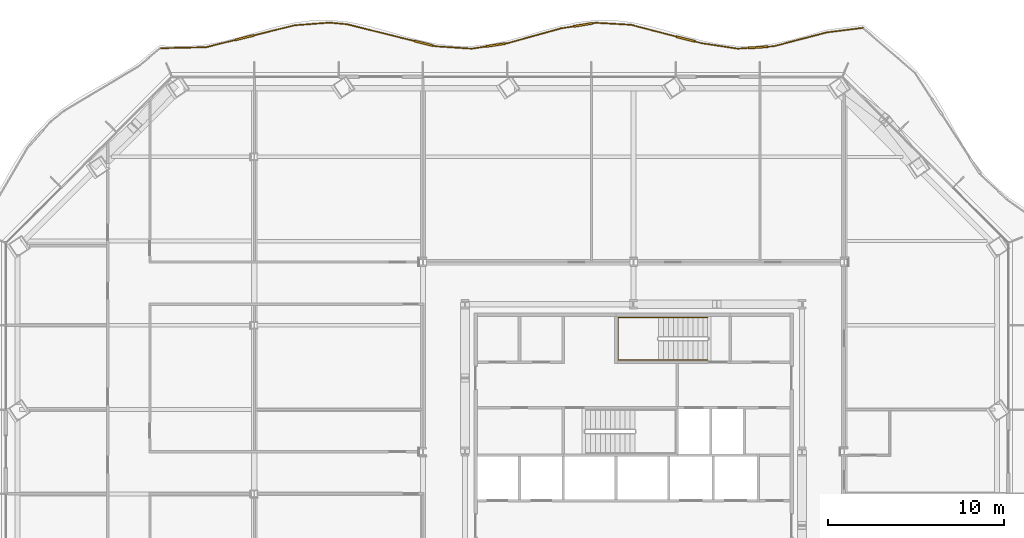
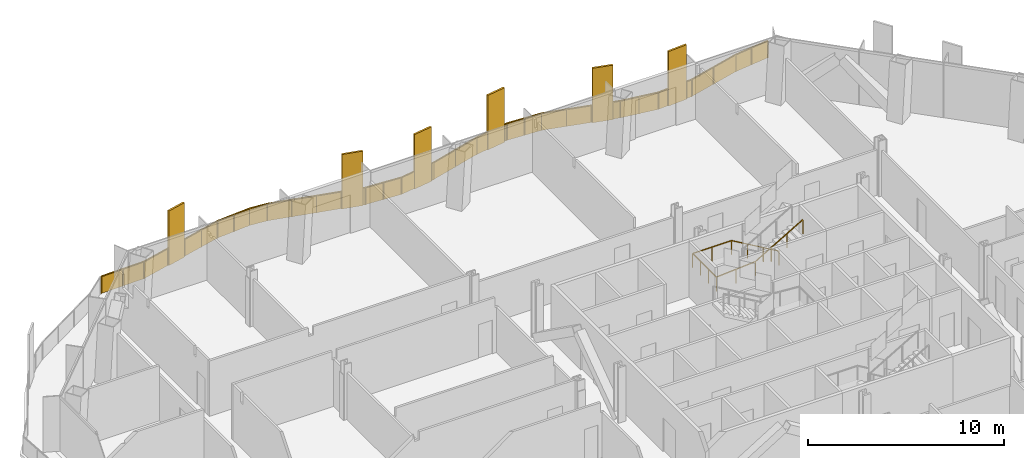
# One storey, part 19 of 20: 2 railings.
"""IFC4 building model written with IfcOpenShell, lengths in metres."""

from ifc_helpers import new_model, si_unit, direction, frame, origin, origin_2d, place, context, subcontext, project, spatial, polyline, rectangle, outline, extrude, material, type_object, element, save


model = new_model("IFC4")

# Units and contexts
model_context = context("Model", 3, precision=1e-05, world=origin(), true_north=direction((0.0, 1.0)))
body_context = subcontext(model_context, "Body", "Model", "MODEL_VIEW")
ifc_project = project(units=[si_unit("LENGTHUNIT", "METRE"), si_unit("AREAUNIT", "SQUARE_METRE"), si_unit("VOLUMEUNIT", "CUBIC_METRE"), si_unit("PLANEANGLEUNIT", "RADIAN"), si_unit("MASSUNIT", "GRAM", prefix="KILO")], contexts=[model_context])

# Site, building, storey
site_placement = place(None, origin())
site = spatial("IfcSite", under=ifc_project, at=site_placement, CompositionType="ELEMENT")
building_placement = place(site_placement, origin())
building = spatial("IfcBuilding", under=site, at=building_placement, Name="Cairn Pilgrim Tower", CompositionType="ELEMENT")
storey_placement = place(building_placement, frame((0.0, 0.0, 87.0)))
storey = spatial("IfcBuildingStorey", under=building, at=storey_placement, Name="L20", CompositionType="ELEMENT", Elevation=87.0)

# Railings
ifc_material_1 = material(Name="Bronze anodised aluminium rail, posts and fin screens with laminated glass infill", Category="aluminium")
railing_type_1 = type_object("IfcRailingType", Name="BALCONY GUARD WITH FIN SCREENS", PredefinedType="GUARDRAIL", material=ifc_material_1)
railing_1_placement = place(storey_placement, frame((20.271240234375, 26.544921875, 0.0)))
element("IfcRailing", 1, at=railing_1_placement, inside=storey, type_object=railing_type_1, Name="Balcony guard BGF-5 with fin screens", PredefinedType="GUARDRAIL", context=body_context, shape_type="SweptSolid", body=[
    extrude(rectangle(XDim=0.050048828125, YDim=0.050048828125, at=origin_2d()), frame((0.0, 0.0, 1.0751953125), z_axis=(-0.992254264557, -0.12422348598, 0.0), x_axis=(0.12422348598, -0.992254264557, 0.0)), (0.0, 0.0, 1.0), 2.069580078125),
    extrude(rectangle(XDim=0.050048828125, YDim=0.050048828125, at=origin_2d()), frame((-2.053466796875, -0.257080078125, 1.0751953125), z_axis=(-0.967572633197, -0.252592952176, 0.0), x_axis=(0.252592952176, -0.967572633197, 0.0)), (0.0, 0.0, 1.0), 3.137451171875),
    extrude(rectangle(XDim=1.10009765625, YDim=0.110107421875, at=origin_2d()), frame((-5.983154296875, -1.10888671875, 0.0), z_axis=(0.0, 0.0, 1.0), x_axis=(-0.997802983849, -0.066251078652, 0.0)), (0.0, 0.0, 1.0), 3.39990234375),
    extrude(rectangle(XDim=0.050048828125, YDim=0.050048828125, at=origin_2d()), frame((-5.089111328125, -1.049560546875, 1.0751953125), z_axis=(-0.997802983849, -0.066251078652, 0.0), x_axis=(0.066251078652, -0.997802983849, 0.0)), (0.0, 0.0, 1.0), 0.345947265625),
    extrude(rectangle(XDim=0.050048828125, YDim=0.050048828125, at=origin_2d()), frame((-6.531982421875, -1.145263671875, 1.0751953125), z_axis=(-0.997802983849, -0.066251078652, 0.0), x_axis=(0.066251078652, -0.997802983849, 0.0)), (0.0, 0.0, 1.0), 0.6103515625),
    extrude(rectangle(XDim=0.050048828125, YDim=0.050048828125, at=origin_2d()), frame((-7.140869140625, -1.185791015625, 1.0751953125), z_axis=(-0.988576822322, 0.150717836928, 0.0), x_axis=(-0.150717836928, -0.988576822322, 0.0)), (0.0, 0.0, 1.0), 2.068603515625),
    extrude(rectangle(XDim=1.10009765625, YDim=0.110107421875, at=origin_2d()), frame((-10.108642578125, -0.6337890625, 0.0), z_axis=(0.0, 0.0, 1.0), x_axis=(-0.967755166448, 0.251892710918, 0.0)), (0.0, 0.0, 1.0), 3.39990234375),
    extrude(rectangle(XDim=0.050048828125, YDim=0.050048828125, at=origin_2d()), frame((-9.185791015625, -0.8740234375, 1.0751953125), z_axis=(-0.967755166448, 0.251892710918, 0.0), x_axis=(-0.251892710918, -0.967755166448, 0.0)), (0.0, 0.0, 1.0), 0.40380859375),
    extrude(rectangle(XDim=0.050048828125, YDim=0.050048828125, at=origin_2d()), frame((-10.64111328125, -0.495361328125, 1.0751953125), z_axis=(-0.967755166448, 0.251892710918, 0.0), x_axis=(-0.251892710918, -0.967755166448, 0.0)), (0.0, 0.0, 1.0), 2.666015625),
    extrude(rectangle(XDim=0.050048828125, YDim=0.050048828125, at=origin_2d()), frame((-13.220947265625, 0.17626953125, 1.0751953125), z_axis=(-0.998369739446, 0.057077695814, 0.0), x_axis=(-0.057077695814, -0.998369739446, 0.0)), (0.0, 0.0, 1.0), 1.9931640625),
    extrude(rectangle(XDim=1.10009765625, YDim=0.110107421875, at=origin_2d()), frame((-15.947021484375, 0.171875, 0.0), z_axis=(0.0, 0.0, 1.0), x_axis=(-0.987374244085, -0.158404867723, 0.0)), (0.0, 0.0, 1.0), 3.39990234375),
    extrude(rectangle(XDim=0.050048828125, YDim=0.050048828125, at=origin_2d()), frame((-15.2109375, 0.2900390625, 1.0751953125), z_axis=(-0.987374244085, -0.158404867723, 0.0), x_axis=(0.158404867723, -0.987374244085, 0.0)), (0.0, 0.0, 1.0), 0.195556640625),
    extrude(rectangle(XDim=0.050048828125, YDim=0.050048828125, at=origin_2d()), frame((-16.490234375, 0.084716796875, 1.0751953125), z_axis=(-0.987374244085, -0.158404867723, 0.0), x_axis=(0.158404867723, -0.987374244085, 0.0)), (0.0, 0.0, 1.0), 0.7265625),
    extrude(rectangle(XDim=0.050048828125, YDim=0.050048828125, at=origin_2d()), frame((-17.20751953125, -0.0302734375, 1.0751953125), z_axis=(-0.963617881554, -0.267283703861, 0.0), x_axis=(0.267283703861, -0.963617881554, 0.0)), (0.0, 0.0, 1.0), 3.146728515625),
    extrude(rectangle(XDim=1.10009765625, YDim=0.110107421875, at=origin_2d()), frame((-20.931640625, -0.9775390625, 0.0), z_axis=(0.0, 0.0, 1.0), x_axis=(-0.988428898524, -0.151684912112, 0.0)), (0.0, 0.0, 1.0), 3.39990234375),
    extrude(rectangle(XDim=0.050048828125, YDim=0.050048828125, at=origin_2d()), frame((-20.23974609375, -0.871337890625, 1.0751953125), z_axis=(-0.988428898524, -0.151684912112, 0.0), x_axis=(0.151684912112, -0.988428898524, 0.0)), (0.0, 0.0, 1.0), 0.150146484375),
    extrude(rectangle(XDim=0.050048828125, YDim=0.050048828125, at=origin_2d()), frame((-21.475341796875, -1.06103515625, 1.0751953125), z_axis=(-0.988428898524, -0.151684912112, 0.0), x_axis=(0.151684912112, -0.988428898524, 0.0)), (0.0, 0.0, 1.0), 0.81982421875),
    extrude(rectangle(XDim=0.050048828125, YDim=0.050048828125, at=origin_2d()), frame((-22.28564453125, -1.185302734375, 1.0751953125), z_axis=(-0.997871039995, 0.065218000114, 0.0), x_axis=(-0.065218000114, -0.997871039995, 0.0)), (0.0, 0.0, 1.0), 2.05517578125),
    extrude(rectangle(XDim=1.10009765625, YDim=0.110107421875, at=origin_2d()), frame((-25.015869140625, -0.882568359375, 0.0), z_axis=(0.0, 0.0, 1.0), x_axis=(-0.970540995734, 0.240936040477, 0.0)), (0.0, 0.0, 1.0), 3.39990234375),
    extrude(rectangle(XDim=0.050048828125, YDim=0.050048828125, at=origin_2d()), frame((-24.33642578125, -1.05126953125, 1.0751953125), z_axis=(-0.970540995734, 0.240936040477, 0.0), x_axis=(-0.240936040477, -0.970540995734, 0.0)), (0.0, 0.0, 1.0), 0.150146484375),
    extrude(rectangle(XDim=0.050048828125, YDim=0.050048828125, at=origin_2d()), frame((-25.5498046875, -0.75, 1.0751953125), z_axis=(-0.970540995734, 0.240936040477, 0.0), x_axis=(-0.240936040477, -0.970540995734, 0.0)), (0.0, 0.0, 1.0), 3.958251953125),
    extrude(rectangle(XDim=0.050048828125, YDim=0.050048828125, at=origin_2d()), frame((-29.391357421875, 0.20361328125, 1.0751953125), z_axis=(-0.995471088297, 0.095064779832, 0.0), x_axis=(-0.095064779832, -0.995471088297, 0.0)), (0.0, 0.0, 1.0), 0.9912109375),
    extrude(rectangle(XDim=0.050048828125, YDim=0.050048828125, at=origin_2d()), frame((-30.378173828125, 0.2978515625, 1.0751953125), z_axis=(-0.997236039356, -0.074298598968, 0.0), x_axis=(0.074298598968, -0.997236039356, 0.0)), (0.0, 0.0, 1.0), 2.001220703125),
    extrude(rectangle(XDim=1.10009765625, YDim=0.110107421875, at=origin_2d()), frame((-35.2255859375, -0.557373046875, 0.0), z_axis=(0.0, 0.0, 1.0), x_axis=(-0.970655842005, -0.240472943138, 0.0)), (0.0, 0.0, 1.0), 3.39990234375),
    extrude(rectangle(XDim=0.050048828125, YDim=0.050048828125, at=origin_2d()), frame((-32.373779296875, 0.149169921875, 1.0751953125), z_axis=(-0.970655842005, -0.240472943138, 0.0), x_axis=(0.240472943138, -0.970655842005, 0.0)), (0.0, 0.0, 1.0), 2.387939453125),
    extrude(rectangle(XDim=0.050048828125, YDim=0.050048828125, at=origin_2d()), frame((-35.759521484375, -0.689697265625, 1.0751953125), z_axis=(-0.970655842005, -0.240472943138, 0.0), x_axis=(0.240472943138, -0.970655842005, 0.0)), (0.0, 0.0, 1.0), 1.72119140625),
    extrude(rectangle(XDim=0.050048828125, YDim=0.050048828125, at=origin_2d()), frame((-37.43017578125, -1.103515625, 1.0751953125), z_axis=(-0.999757349135, -0.022028228505, 0.0), x_axis=(0.022028228505, -0.999757349135, 0.0)), (0.0, 0.0, 1.0), 2.560302734375),
    extrude(rectangle(XDim=0.050048828125, YDim=0.050048828125, at=origin_2d()), origin(), (0.0, 0.0, 1.0), 1.050048828125),
    extrude(rectangle(XDim=0.050048828125, YDim=0.050048828125, at=origin_2d()), frame((-1.02685546875, -0.12841796875, 0.0)), (0.0, 0.0, 1.0), 1.050048828125),
    extrude(rectangle(XDim=0.050048828125, YDim=0.050048828125, at=origin_2d()), frame((-2.053466796875, -0.257080078125, 0.0)), (0.0, 0.0, 1.0), 1.050048828125),
    extrude(rectangle(XDim=0.050048828125, YDim=0.050048828125, at=origin_2d()), frame((-3.5712890625, -0.6533203125, 0.0)), (0.0, 0.0, 1.0), 1.050048828125),
    extrude(rectangle(XDim=0.050048828125, YDim=0.050048828125, at=origin_2d()), frame((-5.089111328125, -1.049560546875, 0.0)), (0.0, 0.0, 1.0), 1.050048828125),
    extrude(rectangle(XDim=0.050048828125, YDim=0.050048828125, at=origin_2d()), frame((-5.409423828125, -1.07080078125, 0.0)), (0.0, 0.0, 1.0), 1.050048828125),
    extrude(rectangle(XDim=0.050048828125, YDim=0.050048828125, at=origin_2d()), frame((-6.556884765625, -1.14697265625, 0.0)), (0.0, 0.0, 1.0), 1.050048828125),
    extrude(rectangle(XDim=0.050048828125, YDim=0.050048828125, at=origin_2d()), frame((-7.140869140625, -1.185791015625, 0.0)), (0.0, 0.0, 1.0), 1.050048828125),
    extrude(rectangle(XDim=0.050048828125, YDim=0.050048828125, at=origin_2d()), frame((-8.163330078125, -1.02978515625, 0.0)), (0.0, 0.0, 1.0), 1.050048828125),
    extrude(rectangle(XDim=0.050048828125, YDim=0.050048828125, at=origin_2d()), frame((-9.185791015625, -0.8740234375, 0.0)), (0.0, 0.0, 1.0), 1.050048828125),
    extrude(rectangle(XDim=0.050048828125, YDim=0.050048828125, at=origin_2d()), frame((-9.55224609375, -0.778564453125, 0.0)), (0.0, 0.0, 1.0), 1.050048828125),
    extrude(rectangle(XDim=0.050048828125, YDim=0.050048828125, at=origin_2d()), frame((-10.665283203125, -0.489013671875, 0.0)), (0.0, 0.0, 1.0), 1.050048828125),
    extrude(rectangle(XDim=0.050048828125, YDim=0.050048828125, at=origin_2d()), frame((-11.943115234375, -0.15625, 0.0)), (0.0, 0.0, 1.0), 1.050048828125),
    extrude(rectangle(XDim=0.050048828125, YDim=0.050048828125, at=origin_2d()), frame((-13.220947265625, 0.17626953125, 0.0)), (0.0, 0.0, 1.0), 1.050048828125),
    extrude(rectangle(XDim=0.050048828125, YDim=0.050048828125, at=origin_2d()), frame((-14.2158203125, 0.233154296875, 0.0)), (0.0, 0.0, 1.0), 1.050048828125),
    extrude(rectangle(XDim=0.050048828125, YDim=0.050048828125, at=origin_2d()), frame((-15.2109375, 0.2900390625, 0.0)), (0.0, 0.0, 1.0), 1.050048828125),
    extrude(rectangle(XDim=0.050048828125, YDim=0.050048828125, at=origin_2d()), frame((-15.37939453125, 0.262939453125, 0.0)), (0.0, 0.0, 1.0), 1.050048828125),
    extrude(rectangle(XDim=0.050048828125, YDim=0.050048828125, at=origin_2d()), frame((-16.514892578125, 0.080810546875, 0.0)), (0.0, 0.0, 1.0), 1.050048828125),
    extrude(rectangle(XDim=0.050048828125, YDim=0.050048828125, at=origin_2d()), frame((-17.20751953125, -0.0302734375, 0.0)), (0.0, 0.0, 1.0), 1.050048828125),
    extrude(rectangle(XDim=0.050048828125, YDim=0.050048828125, at=origin_2d()), frame((-18.7236328125, -0.45068359375, 0.0)), (0.0, 0.0, 1.0), 1.050048828125),
    extrude(rectangle(XDim=0.050048828125, YDim=0.050048828125, at=origin_2d()), frame((-20.23974609375, -0.871337890625, 0.0)), (0.0, 0.0, 1.0), 1.050048828125),
    extrude(rectangle(XDim=0.050048828125, YDim=0.050048828125, at=origin_2d()), frame((-20.36328125, -0.890380859375, 0.0)), (0.0, 0.0, 1.0), 1.050048828125),
    extrude(rectangle(XDim=0.050048828125, YDim=0.050048828125, at=origin_2d()), frame((-21.5, -1.064697265625, 0.0)), (0.0, 0.0, 1.0), 1.050048828125),
    extrude(rectangle(XDim=0.050048828125, YDim=0.050048828125, at=origin_2d()), frame((-22.28564453125, -1.185302734375, 0.0)), (0.0, 0.0, 1.0), 1.050048828125),
    extrude(rectangle(XDim=0.050048828125, YDim=0.050048828125, at=origin_2d()), frame((-23.31103515625, -1.1181640625, 0.0)), (0.0, 0.0, 1.0), 1.050048828125),
    extrude(rectangle(XDim=0.050048828125, YDim=0.050048828125, at=origin_2d()), frame((-24.33642578125, -1.05126953125, 0.0)), (0.0, 0.0, 1.0), 1.050048828125),
    extrude(rectangle(XDim=0.050048828125, YDim=0.050048828125, at=origin_2d()), frame((-24.457763671875, -1.021240234375, 0.0)), (0.0, 0.0, 1.0), 1.050048828125),
    extrude(rectangle(XDim=0.050048828125, YDim=0.050048828125, at=origin_2d()), frame((-25.573974609375, -0.744140625, 0.0)), (0.0, 0.0, 1.0), 1.050048828125),
    extrude(rectangle(XDim=0.050048828125, YDim=0.050048828125, at=origin_2d()), frame((-26.846435546875, -0.42822265625, 0.0)), (0.0, 0.0, 1.0), 1.050048828125),
    extrude(rectangle(XDim=0.050048828125, YDim=0.050048828125, at=origin_2d()), frame((-28.118896484375, -0.1123046875, 0.0)), (0.0, 0.0, 1.0), 1.050048828125),
    extrude(rectangle(XDim=0.050048828125, YDim=0.050048828125, at=origin_2d()), frame((-29.391357421875, 0.20361328125, 0.0)), (0.0, 0.0, 1.0), 1.050048828125),
    extrude(rectangle(XDim=0.050048828125, YDim=0.050048828125, at=origin_2d()), frame((-30.378173828125, 0.2978515625, 0.0)), (0.0, 0.0, 1.0), 1.050048828125),
    extrude(rectangle(XDim=0.050048828125, YDim=0.050048828125, at=origin_2d()), frame((-31.3759765625, 0.2236328125, 0.0)), (0.0, 0.0, 1.0), 1.050048828125),
    extrude(rectangle(XDim=0.050048828125, YDim=0.050048828125, at=origin_2d()), frame((-32.373779296875, 0.149169921875, 0.0)), (0.0, 0.0, 1.0), 1.050048828125),
    extrude(rectangle(XDim=0.050048828125, YDim=0.050048828125, at=origin_2d()), frame((-33.5205078125, -0.135009765625, 0.0)), (0.0, 0.0, 1.0), 1.050048828125),
    extrude(rectangle(XDim=0.050048828125, YDim=0.050048828125, at=origin_2d()), frame((-34.66748046875, -0.4189453125, 0.0)), (0.0, 0.0, 1.0), 1.050048828125),
    extrude(rectangle(XDim=0.050048828125, YDim=0.050048828125, at=origin_2d()), frame((-35.78369140625, -0.695556640625, 0.0)), (0.0, 0.0, 1.0), 1.050048828125),
    extrude(rectangle(XDim=0.050048828125, YDim=0.050048828125, at=origin_2d()), frame((-37.43017578125, -1.103515625, 0.0)), (0.0, 0.0, 1.0), 1.050048828125),
    extrude(rectangle(XDim=0.050048828125, YDim=0.050048828125, at=origin_2d()), frame((-38.7099609375, -1.1318359375, 0.0)), (0.0, 0.0, 1.0), 1.050048828125),
    extrude(rectangle(XDim=0.050048828125, YDim=0.050048828125, at=origin_2d()), frame((-39.98974609375, -1.159912109375, 0.0)), (0.0, 0.0, 1.0), 1.050048828125),
    extrude(outline(polyline([(0.02490234375, 0.0), (1.009765625, 0.0), (1.009765625, 1.050048828125), (0.02490234375, 1.050048828125), (0.02490234375, 0.0)])), frame((0.000732421875, -0.005859375, 0.0), z_axis=(-0.12422348598, 0.992254264557, 0.0), x_axis=(-0.992254264557, -0.12422348598, 0.0)), (0.0, 0.0, 1.0), 0.011962890625),
    extrude(outline(polyline([(0.02490234375, 0.0), (1.009765625, 0.0), (1.009765625, 1.050048828125), (0.02490234375, 1.050048828125), (0.02490234375, 0.0)])), frame((-1.02587890625, -0.134521484375, 0.0), z_axis=(-0.12422348598, 0.992254264557, 0.0), x_axis=(-0.992254264557, -0.12422348598, 0.0)), (0.0, 0.0, 1.0), 0.011962890625),
    extrude(outline(polyline([(0.02490234375, 0.0), (1.543701171875, 0.0), (1.543701171875, 1.050048828125), (0.02490234375, 1.050048828125), (0.02490234375, 0.0)])), frame((-2.052001953125, -0.262939453125, 0.0), z_axis=(-0.252592952176, 0.967572633197, 0.0), x_axis=(-0.967572633197, -0.252592952176, 0.0)), (0.0, 0.0, 1.0), 0.011962890625),
    extrude(outline(polyline([(0.02490234375, 0.0), (1.543701171875, 0.0), (1.543701171875, 1.050048828125), (0.02490234375, 1.050048828125), (0.02490234375, 0.0)])), frame((-3.56982421875, -0.6591796875, 0.0), z_axis=(-0.252592952176, 0.967572633197, 0.0), x_axis=(-0.967572633197, -0.252592952176, 0.0)), (0.0, 0.0, 1.0), 0.011962890625),
    extrude(outline(polyline([(0.02490234375, 0.0), (0.2958984375, 0.0), (0.2958984375, 1.050048828125), (0.02490234375, 1.050048828125), (0.02490234375, 0.0)])), frame((-5.088623046875, -1.055419921875, 0.0), z_axis=(-0.066251078652, 0.997802983849, 0.0), x_axis=(-0.997802983849, -0.066251078652, 0.0)), (0.0, 0.0, 1.0), 0.011962890625),
    extrude(outline(polyline([(0.02490234375, 0.0), (0.560302734375, 0.0), (0.560302734375, 1.050048828125), (0.02490234375, 1.050048828125), (0.02490234375, 0.0)])), frame((-6.556640625, -1.153076171875, 0.0), z_axis=(-0.066251078652, 0.997802983849, 0.0), x_axis=(-0.997802983849, -0.066251078652, 0.0)), (0.0, 0.0, 1.0), 0.011962890625),
    extrude(outline(polyline([(0.02490234375, 0.0), (1.00927734375, 0.0), (1.00927734375, 1.050048828125), (0.02490234375, 1.050048828125), (0.02490234375, 0.0)])), frame((-7.141845703125, -1.191650390625, 0.0), z_axis=(0.150717836928, 0.988576822322, 0.0), x_axis=(-0.988576822322, 0.150717836928, 0.0)), (0.0, 0.0, 1.0), 0.011962890625),
    extrude(outline(polyline([(0.02490234375, 0.0), (1.00927734375, 0.0), (1.00927734375, 1.050048828125), (0.02490234375, 1.050048828125), (0.02490234375, 0.0)])), frame((-8.164306640625, -1.035888671875, 0.0), z_axis=(0.150717836928, 0.988576822322, 0.0), x_axis=(-0.988576822322, 0.150717836928, 0.0)), (0.0, 0.0, 1.0), 0.011962890625),
    extrude(outline(polyline([(0.02490234375, 0.0), (0.353759765625, 0.0), (0.353759765625, 1.050048828125), (0.02490234375, 1.050048828125), (0.02490234375, 0.0)])), frame((-9.187255859375, -0.8798828125, 0.0), z_axis=(0.251892710918, 0.967755166448, 0.0), x_axis=(-0.967755166448, 0.251892710918, 0.0)), (0.0, 0.0, 1.0), 0.011962890625),
    extrude(outline(polyline([(0.02490234375, 0.0), (1.29541015625, 0.0), (1.29541015625, 1.050048828125), (0.02490234375, 1.050048828125), (0.02490234375, 0.0)])), frame((-10.666748046875, -0.49462890625, 0.0), z_axis=(0.251892710918, 0.967755166448, 0.0), x_axis=(-0.967755166448, 0.251892710918, 0.0)), (0.0, 0.0, 1.0), 0.011962890625),
    extrude(outline(polyline([(0.02490234375, 0.0), (1.29541015625, 0.0), (1.29541015625, 1.050048828125), (0.02490234375, 1.050048828125), (0.02490234375, 0.0)])), frame((-11.944580078125, -0.162109375, 0.0), z_axis=(0.251892710918, 0.967755166448, 0.0), x_axis=(-0.967755166448, 0.251892710918, 0.0)), (0.0, 0.0, 1.0), 0.011962890625),
    extrude(outline(polyline([(0.02490234375, 0.0), (0.9716796875, 0.0), (0.9716796875, 1.050048828125), (0.02490234375, 1.050048828125), (0.02490234375, 0.0)])), frame((-13.22119140625, 0.17041015625, 0.0), z_axis=(0.057077695814, 0.998369739446, 0.0), x_axis=(-0.998369739446, 0.057077695814, 0.0)), (0.0, 0.0, 1.0), 0.011962890625),
    extrude(outline(polyline([(0.02490234375, 0.0), (0.9716796875, 0.0), (0.9716796875, 1.050048828125), (0.02490234375, 1.050048828125), (0.02490234375, 0.0)])), frame((-14.21630859375, 0.227294921875, 0.0), z_axis=(0.057077695814, 0.998369739446, 0.0), x_axis=(-0.998369739446, 0.057077695814, 0.0)), (0.0, 0.0, 1.0), 0.011962890625),
    extrude(outline(polyline([(0.02490234375, 0.0), (0.1455078125, 0.0), (0.1455078125, 1.050048828125), (0.02490234375, 1.050048828125), (0.02490234375, 0.0)])), frame((-15.2099609375, 0.2841796875, 0.0), z_axis=(-0.158404867723, 0.987374244085, 0.0), x_axis=(-0.987374244085, -0.158404867723, 0.0)), (0.0, 0.0, 1.0), 0.011962890625),
    extrude(outline(polyline([(0.02490234375, 0.0), (0.676513671875, 0.0), (0.676513671875, 1.050048828125), (0.02490234375, 1.050048828125), (0.02490234375, 0.0)])), frame((-16.513916015625, 0.074951171875, 0.0), z_axis=(-0.158404867723, 0.987374244085, 0.0), x_axis=(-0.987374244085, -0.158404867723, 0.0)), (0.0, 0.0, 1.0), 0.011962890625),
    extrude(outline(polyline([(0.02490234375, 0.0), (1.54833984375, 0.0), (1.54833984375, 1.050048828125), (0.02490234375, 1.050048828125), (0.02490234375, 0.0)])), frame((-17.205810546875, -0.0361328125, 0.0), z_axis=(-0.267283703861, 0.963617881554, 0.0), x_axis=(-0.963617881554, -0.267283703861, 0.0)), (0.0, 0.0, 1.0), 0.011962890625),
    extrude(outline(polyline([(0.02490234375, 0.0), (1.54833984375, 0.0), (1.54833984375, 1.050048828125), (0.02490234375, 1.050048828125), (0.02490234375, 0.0)])), frame((-18.721923828125, -0.45654296875, 0.0), z_axis=(-0.267283703861, 0.963617881554, 0.0), x_axis=(-0.963617881554, -0.267283703861, 0.0)), (0.0, 0.0, 1.0), 0.011962890625),
    extrude(outline(polyline([(0.02490234375, 0.0), (0.10009765625, 0.0), (0.10009765625, 1.050048828125), (0.02490234375, 1.050048828125), (0.02490234375, 0.0)])), frame((-20.23876953125, -0.877197265625, 0.0), z_axis=(-0.151684912112, 0.988428898524, 0.0), x_axis=(-0.988428898524, -0.151684912112, 0.0)), (0.0, 0.0, 1.0), 0.011962890625),
    extrude(outline(polyline([(0.02490234375, 0.0), (0.769775390625, 0.0), (0.769775390625, 1.050048828125), (0.02490234375, 1.050048828125), (0.02490234375, 0.0)])), frame((-21.4990234375, -1.070556640625, 0.0), z_axis=(-0.151684912112, 0.988428898524, 0.0), x_axis=(-0.988428898524, -0.151684912112, 0.0)), (0.0, 0.0, 1.0), 0.011962890625),
    extrude(outline(polyline([(0.02490234375, 0.0), (1.00244140625, 0.0), (1.00244140625, 1.050048828125), (0.02490234375, 1.050048828125), (0.02490234375, 0.0)])), frame((-22.2861328125, -1.191162109375, 0.0), z_axis=(0.065218000114, 0.997871039995, 0.0), x_axis=(-0.997871039995, 0.065218000114, 0.0)), (0.0, 0.0, 1.0), 0.011962890625),
    extrude(outline(polyline([(0.02490234375, 0.0), (1.00244140625, 0.0), (1.00244140625, 1.050048828125), (0.02490234375, 1.050048828125), (0.02490234375, 0.0)])), frame((-23.3115234375, -1.124267578125, 0.0), z_axis=(0.065218000114, 0.997871039995, 0.0), x_axis=(-0.997871039995, 0.065218000114, 0.0)), (0.0, 0.0, 1.0), 0.011962890625),
    extrude(outline(polyline([(0.02490234375, 0.0), (0.10009765625, 0.0), (0.10009765625, 1.050048828125), (0.02490234375, 1.050048828125), (0.02490234375, 0.0)])), frame((-24.337890625, -1.05712890625, 0.0), z_axis=(0.240936040477, 0.970540995734, 0.0), x_axis=(-0.970540995734, 0.240936040477, 0.0)), (0.0, 0.0, 1.0), 0.011962890625),
    extrude(outline(polyline([(0.02490234375, 0.0), (1.2861328125, 0.0), (1.2861328125, 1.050048828125), (0.02490234375, 1.050048828125), (0.02490234375, 0.0)])), frame((-25.575439453125, -0.749755859375, 0.0), z_axis=(0.240936040477, 0.970540995734, 0.0), x_axis=(-0.970540995734, 0.240936040477, 0.0)), (0.0, 0.0, 1.0), 0.011962890625),
    extrude(outline(polyline([(0.02490234375, 0.0), (1.2861328125, 0.0), (1.2861328125, 1.050048828125), (0.02490234375, 1.050048828125), (0.02490234375, 0.0)])), frame((-26.847900390625, -0.43408203125, 0.0), z_axis=(0.240936040477, 0.970540995734, 0.0), x_axis=(-0.970540995734, 0.240936040477, 0.0)), (0.0, 0.0, 1.0), 0.011962890625),
    extrude(outline(polyline([(0.02490234375, 0.0), (1.2861328125, 0.0), (1.2861328125, 1.050048828125), (0.02490234375, 1.050048828125), (0.02490234375, 0.0)])), frame((-28.120361328125, -0.1181640625, 0.0), z_axis=(0.240936040477, 0.970540995734, 0.0), x_axis=(-0.970540995734, 0.240936040477, 0.0)), (0.0, 0.0, 1.0), 0.011962890625),
    extrude(outline(polyline([(0.02490234375, 0.0), (0.96630859375, 0.0), (0.96630859375, 1.050048828125), (0.02490234375, 1.050048828125), (0.02490234375, 0.0)])), frame((-29.391845703125, 0.19775390625, 0.0), z_axis=(0.095064779832, 0.995471088297, 0.0), x_axis=(-0.995471088297, 0.095064779832, 0.0)), (0.0, 0.0, 1.0), 0.011962890625),
    extrude(outline(polyline([(0.02490234375, 0.0), (0.9755859375, 0.0), (0.9755859375, 1.050048828125), (0.02490234375, 1.050048828125), (0.02490234375, 0.0)])), frame((-30.377685546875, 0.2919921875, 0.0), z_axis=(-0.074298598968, 0.997236039356, 0.0), x_axis=(-0.997236039356, -0.074298598968, 0.0)), (0.0, 0.0, 1.0), 0.011962890625),
    extrude(outline(polyline([(0.02490234375, 0.0), (0.9755859375, 0.0), (0.9755859375, 1.050048828125), (0.02490234375, 1.050048828125), (0.02490234375, 0.0)])), frame((-31.37548828125, 0.217529296875, 0.0), z_axis=(-0.074298598968, 0.997236039356, 0.0), x_axis=(-0.997236039356, -0.074298598968, 0.0)), (0.0, 0.0, 1.0), 0.011962890625),
    extrude(outline(polyline([(0.02490234375, 0.0), (1.156494140625, 0.0), (1.156494140625, 1.050048828125), (0.02490234375, 1.050048828125), (0.02490234375, 0.0)])), frame((-32.372314453125, 0.143310546875, 0.0), z_axis=(-0.240472943138, 0.970655842005, 0.0), x_axis=(-0.970655842005, -0.240472943138, 0.0)), (0.0, 0.0, 1.0), 0.011962890625),
    extrude(outline(polyline([(0.02490234375, 0.0), (1.156494140625, 0.0), (1.156494140625, 1.050048828125), (0.02490234375, 1.050048828125), (0.02490234375, 0.0)])), frame((-33.519287109375, -0.140869140625, 0.0), z_axis=(-0.240472943138, 0.970655842005, 0.0), x_axis=(-0.970655842005, -0.240472943138, 0.0)), (0.0, 0.0, 1.0), 0.011962890625),
    extrude(outline(polyline([(0.02490234375, 0.0), (1.671142578125, 0.0), (1.671142578125, 1.050048828125), (0.02490234375, 1.050048828125), (0.02490234375, 0.0)])), frame((-35.7822265625, -0.701416015625, 0.0), z_axis=(-0.240472943138, 0.970655842005, 0.0), x_axis=(-0.970655842005, -0.240472943138, 0.0)), (0.0, 0.0, 1.0), 0.011962890625),
    extrude(outline(polyline([(0.02490234375, 0.0), (1.255126953125, 0.0), (1.255126953125, 1.050048828125), (0.02490234375, 1.050048828125), (0.02490234375, 0.0)])), frame((-37.429931640625, -1.109375, 0.0), z_axis=(-0.022028228505, 0.999757349135, 0.0), x_axis=(-0.999757349135, -0.022028228505, 0.0)), (0.0, 0.0, 1.0), 0.011962890625),
    extrude(outline(polyline([(0.02490234375, 0.0), (1.255126953125, 0.0), (1.255126953125, 1.050048828125), (0.02490234375, 1.050048828125), (0.02490234375, 0.0)])), frame((-38.709716796875, -1.1376953125, 0.0), z_axis=(-0.022028228505, 0.999757349135, 0.0), x_axis=(-0.999757349135, -0.022028228505, 0.0)), (0.0, 0.0, 1.0), 0.011962890625),
])
ifc_material_2 = material(Name="Painted steel", Category="steel")
railing_type_2 = type_object("IfcRailingType", Name="STAIR HANDRAIL 900", PredefinedType="HANDRAIL", material=ifc_material_2)
railing_2_placement = place(storey_placement, frame((11.425048828125, 10.050048828125, 0.16357421875)))
element("IfcRailing", 2, at=railing_2_placement, inside=storey, type_object=railing_type_2, Name="L20 ST-C stair handrail 1", PredefinedType="HANDRAIL", context=body_context, shape_type="SweptSolid", body=[
    extrude(rectangle(XDim=0.048095703125, YDim=0.048095703125, at=origin_2d()), frame((0.0, 0.0, 0.8759765625), z_axis=(-0.863360870873, 0.0, 0.504586966384), x_axis=(0.0, -1.0, 0.0)), (0.0, 0.0, 1.0), 3.2431640625),
    extrude(rectangle(XDim=0.048095703125, YDim=0.048095703125, at=origin_2d()), frame((-2.800048828125, 0.0, 2.51220703125), z_axis=(-1.0, 0.0, 0.0), x_axis=(0.0, -1.0, 0.0)), (0.0, 0.0, 1.0), 2.300048828125),
    extrude(rectangle(XDim=0.048095703125, YDim=0.048095703125, at=origin_2d()), frame((-5.10009765625, 0.0, 2.51220703125), z_axis=(0.0, -1.0, 0.0), x_axis=(1.0, 0.0, 0.0)), (0.0, 0.0, 1.0), 2.425048828125),
    extrude(rectangle(XDim=0.048095703125, YDim=0.048095703125, at=origin_2d()), frame((-5.10009765625, -2.425048828125, 2.51220703125), z_axis=(0.997480687736, 0.0, 0.070938548008), x_axis=(0.0, 1.0, 0.0)), (0.0, 0.0, 1.0), 2.305908203125),
    extrude(rectangle(XDim=0.048095703125, YDim=0.048095703125, at=origin_2d()), frame((-2.800048828125, -2.425048828125, 2.67578125), z_axis=(0.863360870873, 0.0, 0.504586966384), x_axis=(0.0, 1.0, 0.0)), (0.0, 0.0, 1.0), 3.2431640625),
    extrude(rectangle(XDim=0.0419921875, YDim=0.0419921875, at=origin_2d()), origin(), (0.0, 0.0, 1.0), 0.851806640625),
    extrude(rectangle(XDim=0.0419921875, YDim=0.0419921875, at=origin_2d()), frame((-0.933349609375, 0.0, 0.54541015625)), (0.0, 0.0, 1.0), 0.851806640625),
    extrude(rectangle(XDim=0.0419921875, YDim=0.0419921875, at=origin_2d()), frame((-1.86669921875, 0.0, 1.091064453125)), (0.0, 0.0, 1.0), 0.851806640625),
    extrude(rectangle(XDim=0.0419921875, YDim=0.0419921875, at=origin_2d()), frame((-2.800048828125, 0.0, 1.636474609375)), (0.0, 0.0, 1.0), 0.851806640625),
    extrude(rectangle(XDim=0.0419921875, YDim=0.0419921875, at=origin_2d()), frame((-3.9501953125, 0.0, 1.636474609375)), (0.0, 0.0, 1.0), 0.851806640625),
    extrude(rectangle(XDim=0.0419921875, YDim=0.0419921875, at=origin_2d()), frame((-5.10009765625, 0.0, 1.636474609375)), (0.0, 0.0, 1.0), 0.851806640625),
    extrude(rectangle(XDim=0.0419921875, YDim=0.0419921875, at=origin_2d()), frame((-5.10009765625, -0.808349609375, 1.636474609375)), (0.0, 0.0, 1.0), 0.851806640625),
    extrude(rectangle(XDim=0.0419921875, YDim=0.0419921875, at=origin_2d()), frame((-5.10009765625, -1.61669921875, 1.636474609375)), (0.0, 0.0, 1.0), 0.851806640625),
    extrude(rectangle(XDim=0.0419921875, YDim=0.0419921875, at=origin_2d()), frame((-5.10009765625, -2.425048828125, 1.636474609375)), (0.0, 0.0, 1.0), 0.851806640625),
    extrude(rectangle(XDim=0.0419921875, YDim=0.0419921875, at=origin_2d()), frame((-3.9501953125, -2.425048828125, 1.71826171875)), (0.0, 0.0, 1.0), 0.851806640625),
    extrude(rectangle(XDim=0.0419921875, YDim=0.0419921875, at=origin_2d()), frame((-2.800048828125, -2.425048828125, 1.800048828125)), (0.0, 0.0, 1.0), 0.851806640625),
    extrude(rectangle(XDim=0.0419921875, YDim=0.0419921875, at=origin_2d()), frame((-1.86669921875, -2.425048828125, 2.345458984375)), (0.0, 0.0, 1.0), 0.851806640625),
    extrude(rectangle(XDim=0.0419921875, YDim=0.0419921875, at=origin_2d()), frame((-0.933349609375, -2.425048828125, 2.89111328125)), (0.0, 0.0, 1.0), 0.851806640625),
    extrude(rectangle(XDim=0.0419921875, YDim=0.0419921875, at=origin_2d()), frame((0.0, -2.425048828125, 3.4365234375)), (0.0, 0.0, 1.0), 0.851806640625),
])

save(model, "model.ifc")
